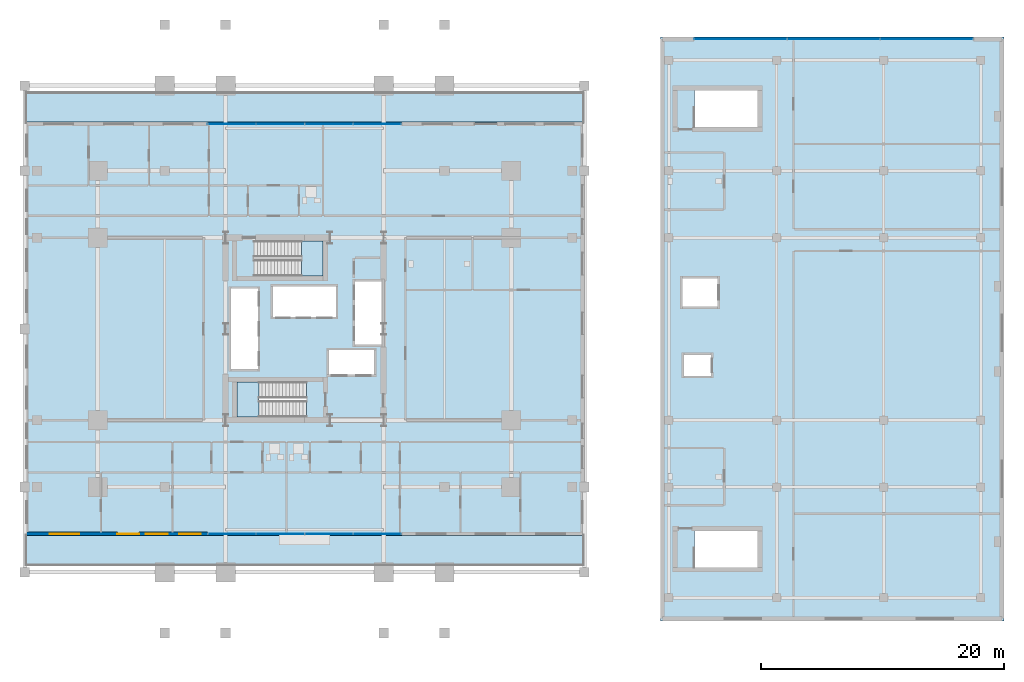
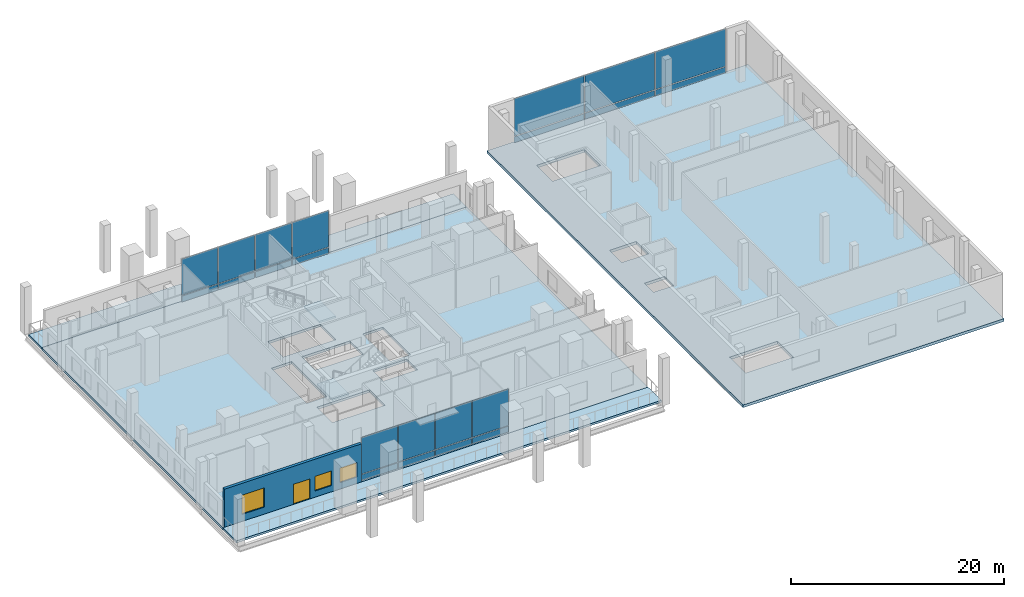
# One storey, part 15 of 25: 22 plates, 6 slabs, 3 windows, 1 door, 1 wall, 4 openings, 5 elements without a shape of their own.
"""IFC4 building model written with IfcOpenShell, lengths in metres."""

from ifc_helpers import new_model, si_unit, direction, frame, frame_2d, origin, origin_2d, place, context, subcontext, project, spatial, polyline, rectangle, outline, extrude, material, layer, layer_set, type_object, element, fill, aggregate, save


model = new_model("IFC4")

# Units and contexts
model_context = context("Model", 3, precision=1e-05, world=origin(), true_north=direction((0.0, 1.0)))
body_context = subcontext(model_context, "Body", "Model", "MODEL_VIEW")
ifc_project = project(units=[si_unit("LENGTHUNIT", "METRE"), si_unit("AREAUNIT", "SQUARE_METRE"), si_unit("VOLUMEUNIT", "CUBIC_METRE"), si_unit("PLANEANGLEUNIT", "RADIAN"), si_unit("MASSUNIT", "GRAM", prefix="KILO")], contexts=[model_context])

# Site, building, storey
site_placement = place(None, origin())
site = spatial("IfcSite", under=ifc_project, at=site_placement, CompositionType="ELEMENT")
building_placement = place(site_placement, origin())
building = spatial("IfcBuilding", under=site, at=building_placement, Name="Barlavira Tower and Art Museum", CompositionType="ELEMENT")
storey_placement = place(building_placement, frame((0.0, 0.0, 22.199951171875)))
storey = spatial("IfcBuildingStorey", under=building, at=storey_placement, Name="L04", CompositionType="ELEMENT", Elevation=22.199951171875)

# Slabs
ifc_material_1 = material(Name="Concrete C50", Category="concrete")
ifc_layer_1 = layer(ifc_material_1, 0.239990234375, Name="Concrete C50")
ifc_layer_set_1 = layer_set([ifc_layer_1], Name="Concrete C50")
slab_type_1 = type_object("IfcSlabType", Name="Cascading Garden and Lookout Terrace Slab 240 Concrete C50", PredefinedType="FLOOR", material=ifc_layer_set_1)
slab_1_placement = place(storey_placement, frame((0.0, 0.0, -0.239990234375)))
element("IfcSlab", 1, at=slab_1_placement, inside=storey, type_object=slab_type_1, Name="L04 South Cascading Garden Terrace Slab", PredefinedType="FLOOR", context=body_context, shape_type="SweptSolid", body=[
    extrude(outline(polyline([(-23.0, -19.5), (23.0, -19.5), (23.0, -17.0), (-23.0, -17.0), (-23.0, -19.5)])), origin(), (0.0, 0.0, 1.0), 0.239990234375),
])
slab_2_placement = place(storey_placement, frame((0.0, 0.0, -0.239990234375)))
element("IfcSlab", 2, at=slab_2_placement, inside=storey, type_object=slab_type_1, Name="L04 North Cascading Garden Terrace Slab", PredefinedType="FLOOR", context=body_context, shape_type="SweptSolid", body=[
    extrude(outline(polyline([(-23.0, 17.0), (23.0, 17.0), (23.0, 19.5), (-23.0, 19.5), (-23.0, 17.0)])), origin(), (0.0, 0.0, 1.0), 0.239990234375),
])

# Curtain wall, plates
ifc_material_2 = material(Name="Low-iron coastal laminated glass", Category="glass")
ifc_layer_2 = layer(ifc_material_2, 0.179931640625, Name="Low-iron coastal laminated glass")
ifc_layer_set_2 = layer_set([ifc_layer_2], Name="Low-iron coastal laminated glass")
curtain_wall_type_1 = type_object("IfcCurtainWallType", Name="Pale-Metal Unitised Curtain Wall Zone 1", PredefinedType="NOTDEFINED", material=ifc_layer_set_2)
curtain_wall_1_placement = place(storey_placement, origin())
curtain_wall_1 = element("IfcCurtainWall", 3, at=curtain_wall_1_placement, inside=storey, type_object=curtain_wall_type_1, Name="L04 Curtain Wall CW1-L04-S", PredefinedType="NOTDEFINED")
ifc_material_3 = material(Name="Pale anodised aluminium", Category="aluminium")
ifc_layer_3 = layer(ifc_material_3, 0.044921875, Name="Pale anodised aluminium")
ifc_layer_set_3 = layer_set([ifc_layer_3], Name="Pale anodised aluminium")
plate_type_1 = type_object("IfcPlateType", Name="Curtain Wall Pale-Metal Spandrel Panel 45", PredefinedType="CURTAIN_PANEL", material=ifc_layer_set_3)
plate_1_placement = place(storey_placement, frame((-6.0, -16.85009765625, 0.0400390625), z_axis=(0.0, 0.0, 1.0), x_axis=(1.0, 0.0, 0.0)))
plate_1 = element("IfcPlate", 4, at=plate_1_placement, type_object=plate_type_1, Name="CW1-L04-S Spandrel Panel 0", PredefinedType="CURTAIN_PANEL", context=body_context, shape_type="SweptSolid", body=[
    extrude(rectangle(XDim=3.89990234375, YDim=0.044921875, at=origin_2d()), origin(), (0.0, 0.0, 1.0), 0.669921875),
])
plate_2_placement = place(storey_placement, frame((-2.0, -16.85009765625, 0.0400390625), z_axis=(0.0, 0.0, 1.0), x_axis=(1.0, 0.0, 0.0)))
plate_2 = element("IfcPlate", 5, at=plate_2_placement, type_object=plate_type_1, Name="CW1-L04-S Spandrel Panel 1", PredefinedType="CURTAIN_PANEL", context=body_context, shape_type="SweptSolid", body=[
    extrude(rectangle(XDim=3.89990234375, YDim=0.044921875, at=origin_2d()), origin(), (0.0, 0.0, 1.0), 0.669921875),
])
plate_3_placement = place(storey_placement, frame((2.0, -16.85009765625, 0.0400390625), z_axis=(0.0, 0.0, 1.0), x_axis=(1.0, 0.0, 0.0)))
plate_3 = element("IfcPlate", 6, at=plate_3_placement, type_object=plate_type_1, Name="CW1-L04-S Spandrel Panel 2", PredefinedType="CURTAIN_PANEL", context=body_context, shape_type="SweptSolid", body=[
    extrude(rectangle(XDim=3.89990234375, YDim=0.044921875, at=origin_2d()), origin(), (0.0, 0.0, 1.0), 0.669921875),
])
plate_4_placement = place(storey_placement, frame((6.0, -16.85009765625, 0.0400390625), z_axis=(0.0, 0.0, 1.0), x_axis=(1.0, 0.0, 0.0)))
plate_4 = element("IfcPlate", 7, at=plate_4_placement, type_object=plate_type_1, Name="CW1-L04-S Spandrel Panel 3", PredefinedType="CURTAIN_PANEL", context=body_context, shape_type="SweptSolid", body=[
    extrude(rectangle(XDim=3.89990234375, YDim=0.044921875, at=origin_2d()), origin(), (0.0, 0.0, 1.0), 0.669921875),
])

curtain_wall_2_placement = place(storey_placement, origin())
curtain_wall_2 = element("IfcCurtainWall", 8, at=curtain_wall_2_placement, inside=storey, type_object=curtain_wall_type_1, Name="L04 Curtain Wall CW1-L04-N", PredefinedType="NOTDEFINED")
plate_5_placement = place(storey_placement, frame((6.0, 16.85009765625, 0.0400390625), z_axis=(0.0, 0.0, 1.0), x_axis=(-1.0, 0.0, 0.0)))
plate_5 = element("IfcPlate", 9, at=plate_5_placement, type_object=plate_type_1, Name="CW1-L04-N Spandrel Panel 0", PredefinedType="CURTAIN_PANEL", context=body_context, shape_type="SweptSolid", body=[
    extrude(rectangle(XDim=3.89990234375, YDim=0.044921875, at=origin_2d()), origin(), (0.0, 0.0, 1.0), 0.669921875),
])
plate_6_placement = place(storey_placement, frame((2.0, 16.85009765625, 0.0400390625), z_axis=(0.0, 0.0, 1.0), x_axis=(-1.0, 0.0, 0.0)))
plate_6 = element("IfcPlate", 10, at=plate_6_placement, type_object=plate_type_1, Name="CW1-L04-N Spandrel Panel 1", PredefinedType="CURTAIN_PANEL", context=body_context, shape_type="SweptSolid", body=[
    extrude(rectangle(XDim=3.89990234375, YDim=0.044921875, at=origin_2d()), origin(), (0.0, 0.0, 1.0), 0.669921875),
])
plate_7_placement = place(storey_placement, frame((-2.0, 16.85009765625, 0.0400390625), z_axis=(0.0, 0.0, 1.0), x_axis=(-1.0, 0.0, 0.0)))
plate_7 = element("IfcPlate", 11, at=plate_7_placement, type_object=plate_type_1, Name="CW1-L04-N Spandrel Panel 2", PredefinedType="CURTAIN_PANEL", context=body_context, shape_type="SweptSolid", body=[
    extrude(rectangle(XDim=3.89990234375, YDim=0.044921875, at=origin_2d()), origin(), (0.0, 0.0, 1.0), 0.669921875),
])
plate_8_placement = place(storey_placement, frame((-6.0, 16.85009765625, 0.0400390625), z_axis=(0.0, 0.0, 1.0), x_axis=(-1.0, 0.0, 0.0)))
plate_8 = element("IfcPlate", 12, at=plate_8_placement, type_object=plate_type_1, Name="CW1-L04-N Spandrel Panel 3", PredefinedType="CURTAIN_PANEL", context=body_context, shape_type="SweptSolid", body=[
    extrude(rectangle(XDim=3.89990234375, YDim=0.044921875, at=origin_2d()), origin(), (0.0, 0.0, 1.0), 0.669921875),
])

ifc_layer_4 = layer(ifc_material_2, 0.199951171875, Name="Low-iron coastal laminated glass")
ifc_layer_set_4 = layer_set([ifc_layer_4], Name="Low-iron coastal laminated glass")
curtain_wall_type_2 = type_object("IfcCurtainWallType", Name="Coastal Art Museum North-Light Curtain Wall", PredefinedType="NOTDEFINED", material=ifc_layer_set_4)
curtain_wall_3_placement = place(storey_placement, origin())
curtain_wall_3 = element("IfcCurtainWall", 13, at=curtain_wall_3_placement, inside=storey, type_object=curtain_wall_type_2, Name="L04 Curtain Wall CW6-MUS-L04-N", PredefinedType="NOTDEFINED")
plate_9_placement = place(storey_placement, frame((51.166748046875, 23.824951171875, 0.0400390625), z_axis=(0.0, 0.0, 1.0), x_axis=(-1.0, 0.0, 0.0)))
plate_9 = element("IfcPlate", 14, at=plate_9_placement, type_object=plate_type_1, Name="CW6-MUS-L04-N Spandrel Panel 0", PredefinedType="CURTAIN_PANEL", context=body_context, shape_type="SweptSolid", body=[
    extrude(rectangle(XDim=7.566650390625, YDim=0.044921875, at=origin_2d()), origin(), (0.0, 0.0, 1.0), 0.669921875),
])
plate_10_placement = place(storey_placement, frame((43.5, 23.824951171875, 0.0400390625), z_axis=(0.0, 0.0, 1.0), x_axis=(-1.0, 0.0, 0.0)))
plate_10 = element("IfcPlate", 15, at=plate_10_placement, type_object=plate_type_1, Name="CW6-MUS-L04-N Spandrel Panel 1", PredefinedType="CURTAIN_PANEL", context=body_context, shape_type="SweptSolid", body=[
    extrude(rectangle(XDim=7.566650390625, YDim=0.044921875, at=origin_2d()), origin(), (0.0, 0.0, 1.0), 0.669921875),
])
plate_11_placement = place(storey_placement, frame((35.833251953125, 23.824951171875, 0.0400390625), z_axis=(0.0, 0.0, 1.0), x_axis=(-1.0, 0.0, 0.0)))
plate_11 = element("IfcPlate", 16, at=plate_11_placement, type_object=plate_type_1, Name="CW6-MUS-L04-N Spandrel Panel 2", PredefinedType="CURTAIN_PANEL", context=body_context, shape_type="SweptSolid", body=[
    extrude(rectangle(XDim=7.566650390625, YDim=0.044921875, at=origin_2d()), origin(), (0.0, 0.0, 1.0), 0.669921875),
])

# Plate
ifc_layer_5 = layer(ifc_material_2, 0.028076171875, Name="Low-iron coastal laminated glass")
ifc_layer_set_5 = layer_set([ifc_layer_5], Name="Low-iron coastal laminated glass")
plate_type_2 = type_object("IfcPlateType", Name="Curtain Wall Vision Glazing Panel 28", PredefinedType="CURTAIN_PANEL", material=ifc_layer_set_5)
plate_12_placement = place(storey_placement, frame((-6.0, -16.85009765625, 0.7900390625), z_axis=(0.0, 0.0, 1.0), x_axis=(1.0, 0.0, 0.0)))
plate_12 = element("IfcPlate", 17, at=plate_12_placement, type_object=plate_type_2, Name="CW1-L04-S Vision Glass Panel 0", PredefinedType="CURTAIN_PANEL", context=body_context, shape_type="SweptSolid", body=[
    extrude(rectangle(XDim=3.89990234375, YDim=0.028076171875, at=origin_2d()), origin(), (0.0, 0.0, 1.0), 4.169921875),
])

plate_13_placement = place(storey_placement, frame((-2.0, -16.85009765625, 0.7900390625), z_axis=(0.0, 0.0, 1.0), x_axis=(1.0, 0.0, 0.0)))
plate_13 = element("IfcPlate", 18, at=plate_13_placement, type_object=plate_type_2, Name="CW1-L04-S Vision Glass Panel 1", PredefinedType="CURTAIN_PANEL", context=body_context, shape_type="SweptSolid", body=[
    extrude(rectangle(XDim=3.89990234375, YDim=0.028076171875, at=origin_2d()), origin(), (0.0, 0.0, 1.0), 4.169921875),
])

plate_14_placement = place(storey_placement, frame((2.0, -16.85009765625, 0.7900390625), z_axis=(0.0, 0.0, 1.0), x_axis=(1.0, 0.0, 0.0)))
plate_14 = element("IfcPlate", 19, at=plate_14_placement, type_object=plate_type_2, Name="CW1-L04-S Vision Glass Panel 2", PredefinedType="CURTAIN_PANEL", context=body_context, shape_type="SweptSolid", body=[
    extrude(rectangle(XDim=3.89990234375, YDim=0.028076171875, at=origin_2d()), origin(), (0.0, 0.0, 1.0), 4.169921875),
])

plate_15_placement = place(storey_placement, frame((6.0, -16.85009765625, 0.7900390625), z_axis=(0.0, 0.0, 1.0), x_axis=(1.0, 0.0, 0.0)))
plate_15 = element("IfcPlate", 20, at=plate_15_placement, type_object=plate_type_2, Name="CW1-L04-S Vision Glass Panel 3", PredefinedType="CURTAIN_PANEL", context=body_context, shape_type="SweptSolid", body=[
    extrude(rectangle(XDim=3.89990234375, YDim=0.028076171875, at=origin_2d()), origin(), (0.0, 0.0, 1.0), 4.169921875),
])

aggregate(curtain_wall_1, [plate_1, plate_12, plate_2, plate_13, plate_3, plate_14, plate_4, plate_15])

plate_16_placement = place(storey_placement, frame((6.0, 16.85009765625, 0.7900390625), z_axis=(0.0, 0.0, 1.0), x_axis=(-1.0, 0.0, 0.0)))
plate_16 = element("IfcPlate", 21, at=plate_16_placement, type_object=plate_type_2, Name="CW1-L04-N Vision Glass Panel 0", PredefinedType="CURTAIN_PANEL", context=body_context, shape_type="SweptSolid", body=[
    extrude(rectangle(XDim=3.89990234375, YDim=0.028076171875, at=origin_2d()), origin(), (0.0, 0.0, 1.0), 4.169921875),
])

plate_17_placement = place(storey_placement, frame((2.0, 16.85009765625, 0.7900390625), z_axis=(0.0, 0.0, 1.0), x_axis=(-1.0, 0.0, 0.0)))
plate_17 = element("IfcPlate", 22, at=plate_17_placement, type_object=plate_type_2, Name="CW1-L04-N Vision Glass Panel 1", PredefinedType="CURTAIN_PANEL", context=body_context, shape_type="SweptSolid", body=[
    extrude(rectangle(XDim=3.89990234375, YDim=0.028076171875, at=origin_2d()), origin(), (0.0, 0.0, 1.0), 4.169921875),
])

plate_18_placement = place(storey_placement, frame((-2.0, 16.85009765625, 0.7900390625), z_axis=(0.0, 0.0, 1.0), x_axis=(-1.0, 0.0, 0.0)))
plate_18 = element("IfcPlate", 23, at=plate_18_placement, type_object=plate_type_2, Name="CW1-L04-N Vision Glass Panel 2", PredefinedType="CURTAIN_PANEL", context=body_context, shape_type="SweptSolid", body=[
    extrude(rectangle(XDim=3.89990234375, YDim=0.028076171875, at=origin_2d()), origin(), (0.0, 0.0, 1.0), 4.169921875),
])

plate_19_placement = place(storey_placement, frame((-6.0, 16.85009765625, 0.7900390625), z_axis=(0.0, 0.0, 1.0), x_axis=(-1.0, 0.0, 0.0)))
plate_19 = element("IfcPlate", 24, at=plate_19_placement, type_object=plate_type_2, Name="CW1-L04-N Vision Glass Panel 3", PredefinedType="CURTAIN_PANEL", context=body_context, shape_type="SweptSolid", body=[
    extrude(rectangle(XDim=3.89990234375, YDim=0.028076171875, at=origin_2d()), origin(), (0.0, 0.0, 1.0), 4.169921875),
])

aggregate(curtain_wall_2, [plate_5, plate_16, plate_6, plate_17, plate_7, plate_18, plate_8, plate_19])

plate_20_placement = place(storey_placement, frame((51.166748046875, 23.824951171875, 0.7900390625), z_axis=(0.0, 0.0, 1.0), x_axis=(-1.0, 0.0, 0.0)))
plate_20 = element("IfcPlate", 25, at=plate_20_placement, type_object=plate_type_2, Name="CW6-MUS-L04-N Vision Glass Panel 0", PredefinedType="CURTAIN_PANEL", context=body_context, shape_type="SweptSolid", body=[
    extrude(rectangle(XDim=7.566650390625, YDim=0.028076171875, at=origin_2d()), origin(), (0.0, 0.0, 1.0), 4.300048828125),
])

plate_21_placement = place(storey_placement, frame((43.5, 23.824951171875, 0.7900390625), z_axis=(0.0, 0.0, 1.0), x_axis=(-1.0, 0.0, 0.0)))
plate_21 = element("IfcPlate", 26, at=plate_21_placement, type_object=plate_type_2, Name="CW6-MUS-L04-N Vision Glass Panel 1", PredefinedType="CURTAIN_PANEL", context=body_context, shape_type="SweptSolid", body=[
    extrude(rectangle(XDim=7.566650390625, YDim=0.028076171875, at=origin_2d()), origin(), (0.0, 0.0, 1.0), 4.300048828125),
])

plate_22_placement = place(storey_placement, frame((35.833251953125, 23.824951171875, 0.7900390625), z_axis=(0.0, 0.0, 1.0), x_axis=(-1.0, 0.0, 0.0)))
plate_22 = element("IfcPlate", 27, at=plate_22_placement, type_object=plate_type_2, Name="CW6-MUS-L04-N Vision Glass Panel 2", PredefinedType="CURTAIN_PANEL", context=body_context, shape_type="SweptSolid", body=[
    extrude(rectangle(XDim=7.566650390625, YDim=0.028076171875, at=origin_2d()), origin(), (0.0, 0.0, 1.0), 4.300048828125),
])

aggregate(curtain_wall_3, [plate_9, plate_20, plate_10, plate_21, plate_11, plate_22])

# Slabs
ifc_layer_6 = layer(ifc_material_1, 0.320068359375, Name="Concrete C50")
ifc_layer_set_6 = layer_set([ifc_layer_6], Name="Concrete C50")
slab_type_2 = type_object("IfcSlabType", Name="Museum Exhibition Gallery Slab 320 Concrete C50", PredefinedType="FLOOR", material=ifc_layer_set_6)
slab_3_placement = place(storey_placement, frame((0.0, 0.0, -0.320068359375)))
element("IfcSlab", 28, at=slab_3_placement, inside=storey, type_object=slab_type_2, Name="L04 Coastal Art Museum Floor Slab", PredefinedType="FLOOR", context=body_context, shape_type="SweptSolid", body=[
    extrude(outline(polyline([(29.25, -24.0), (57.5, -24.0), (57.5, 24.0), (29.25, 24.0), (29.25, -24.0)]), holes=[polyline([(32.070068359375, -19.60009765625), (37.25, -19.60009765625), (37.25, -16.60009765625), (32.070068359375, -16.60009765625), (32.070068359375, -19.60009765625)]), polyline([(32.070068359375, 16.60009765625), (37.25, 16.60009765625), (37.25, 19.60009765625), (32.070068359375, 19.60009765625), (32.070068359375, 16.60009765625)]), polyline([(31.199951171875, -3.85009765625), (33.39990234375, -3.85009765625), (33.39990234375, -2.14990234375), (31.199951171875, -2.14990234375), (31.199951171875, -3.85009765625)]), polyline([(31.050048828125, 1.85009765625), (33.949951171875, 1.85009765625), (33.949951171875, 4.14990234375), (31.050048828125, 4.14990234375), (31.050048828125, 1.85009765625)])]), origin(), (0.0, 0.0, 1.0), 0.320068359375),
])
ifc_layer_7 = layer(ifc_material_1, 0.280029296875, Name="Concrete C50")
ifc_layer_set_7 = layer_set([ifc_layer_7], Name="Concrete C50")
slab_type_3 = type_object("IfcSlabType", Name="Podium Floor Slab 280 Concrete C50", PredefinedType="FLOOR", material=ifc_layer_set_7)
slab_4_placement = place(storey_placement, frame((0.0, 0.0, -0.280029296875)))
element("IfcSlab", 29, at=slab_4_placement, inside=storey, type_object=slab_type_3, Name="L04 Tower Podium Indoor Floor Slab", PredefinedType="FLOOR", context=body_context, shape_type="SweptSolid", body=[
    extrude(outline(polyline([(-23.0, -17.0), (23.0, -17.0), (23.0, 17.0), (-23.0, 17.0), (-23.0, -17.0)]), holes=[polyline([(0.14990234375, -4.35009765625), (-5.550048828125, -4.35009765625), (-5.550048828125, -7.25), (0.14990234375, -7.25), (0.14990234375, -4.35009765625)]), polyline([(-4.169921875, 4.35009765625), (1.530029296875, 4.35009765625), (1.530029296875, 7.25), (-4.169921875, 7.25), (-4.169921875, 4.35009765625)]), polyline([(-6.050048828125, -3.31005859375), (-3.85009765625, -3.31005859375), (-3.85009765625, 3.31005859375), (-6.050048828125, 3.31005859375), (-6.050048828125, -3.31005859375)]), polyline([(4.14990234375, -1.2900390625), (6.35009765625, -1.2900390625), (6.35009765625, 3.889892578125), (4.14990234375, 3.889892578125), (4.14990234375, -1.2900390625)]), polyline([(-2.6201171875, 1.0), (2.56005859375, 1.0), (2.56005859375, 3.5), (-2.6201171875, 3.5), (-2.6201171875, 1.0)]), polyline([(2.0, -3.75), (5.699951171875, -3.75), (5.699951171875, -1.75), (2.0, -1.75), (2.0, -3.75)])]), origin(), (0.0, 0.0, 1.0), 0.280029296875),
])

# Stair, slab
ifc_material_4 = material(Name="Concrete C45", Category="concrete")
stair_type_1 = type_object("IfcStairType", Name="Tower North Dog-Leg Exit Stair Assembly Concrete C45", PredefinedType="TWO_QUARTER_TURN_STAIR", material=ifc_material_4)
stair_1_placement = place(storey_placement, origin())
stair_1 = element("IfcStair", 30, at=stair_1_placement, inside=storey, type_object=stair_type_1, Name="L04 Tower North Exit Stair ST-T2", PredefinedType="TWO_QUARTER_TURN_STAIR")
ifc_layer_8 = layer(ifc_material_4, 0.199951171875, Name="Concrete C45")
ifc_layer_set_8 = layer_set([ifc_layer_8], Name="Concrete C45")
slab_type_4 = type_object("IfcSlabType", Name="Tower North Dog-Leg Exit Stair Half-Landing Slab 200 Concrete C45", PredefinedType="LANDING", material=ifc_layer_set_8)
slab_5_placement = place(storey_placement, frame((0.0, 0.0, 2.5)))
slab_5 = element("IfcSlab", 31, at=slab_5_placement, type_object=slab_type_4, Name="ST-T2 landing 1", PredefinedType="LANDING", context=body_context, shape_type="SweptSolid", body=[
    extrude(outline(polyline([(-0.25, 4.35009765625), (1.530029296875, 4.35009765625), (1.530029296875, 7.25), (-0.25, 7.25), (-0.25, 4.35009765625)])), origin(), (0.0, 0.0, 1.0), 0.199951171875),
])
aggregate(stair_1, [slab_5])

stair_type_2 = type_object("IfcStairType", Name="Tower South Dog-Leg Exit Stair Assembly Concrete C45", PredefinedType="TWO_QUARTER_TURN_STAIR", material=ifc_material_4)
stair_2_placement = place(storey_placement, origin())
stair_2 = element("IfcStair", 32, at=stair_2_placement, inside=storey, type_object=stair_type_2, Name="L04 Tower South Exit Stair ST-T1", PredefinedType="TWO_QUARTER_TURN_STAIR")
ifc_layer_9 = layer(ifc_material_4, 0.199951171875, Name="Concrete C45")
ifc_layer_set_9 = layer_set([ifc_layer_9], Name="Concrete C45")
slab_type_5 = type_object("IfcSlabType", Name="Tower South Dog-Leg Exit Stair Half-Landing Slab 200 Concrete C45", PredefinedType="LANDING", material=ifc_layer_set_9)
slab_6_placement = place(storey_placement, frame((0.0, 0.0, 2.5)))
slab_6 = element("IfcSlab", 33, at=slab_6_placement, type_object=slab_type_5, Name="ST-T1 landing 1", PredefinedType="LANDING", context=body_context, shape_type="SweptSolid", body=[
    extrude(outline(polyline([(-3.77001953125, -4.35009765625), (-5.550048828125, -4.35009765625), (-5.550048828125, -7.25), (-3.77001953125, -7.25), (-3.77001953125, -4.35009765625)])), origin(), (0.0, 0.0, 1.0), 0.199951171875),
])
aggregate(stair_2, [slab_6])

# Wall, openings, windows, door
ifc_material_5 = material(Name="Precast concrete C40", Category="concrete")
ifc_layer_10 = layer(ifc_material_5, 0.300048828125, Name="Precast concrete C40")
ifc_layer_set_10 = layer_set([ifc_layer_10], Name="Precast concrete C40")
wall_type = type_object("IfcWallType", Name="Podium Architectural Precast Facade Wall 300 Concrete C40", PredefinedType="SOLIDWALL", material=ifc_layer_set_10)
wall_placement = place(storey_placement, frame((-8.0, -16.85009765625, 0.0), z_axis=(0.0, 0.0, 1.0), x_axis=(-1.0, 0.0, 0.0)))
wall = element("IfcWall", 34, at=wall_placement, inside=storey, type_object=wall_type, Name="L04 Podium South-West Wall", PredefinedType="SOLIDWALL", context=body_context, shape_type="SweptSolid", body=[
    extrude(rectangle(XDim=14.85009765625, YDim=0.300048828125, at=frame_2d((7.425048828125, 0.0))), origin(), (0.0, 0.0, 1.0), 4.35595703125),
])
opening_1_placement = place(wall_placement, frame((5.60009765625, 0.0, 0.0)))
opening_1 = element("IfcOpeningElement", 35, at=opening_1_placement, cuts=wall, Name="Opening ED-03", PredefinedType="OPENING", context=body_context, shape_type="SweptSolid", body=[
    extrude(rectangle(XDim=1.800048828125, YDim=2.300048828125, at=frame_2d((0.89990234375, 1.14990234375))), frame((0.0, 0.16015625, 0.0), z_axis=(0.0, -1.0, 0.0), x_axis=(1.0, 0.0, 0.0)), (0.0, 0.0, 1.0), 0.320068359375),
])
opening_2_placement = place(wall_placement, frame((0.52490234375, 0.0, 0.719970703125)))
opening_2 = element("IfcOpeningElement", 36, at=opening_2_placement, cuts=wall, Name="Opening WN-01", PredefinedType="OPENING", context=body_context, shape_type="SweptSolid", body=[
    extrude(rectangle(XDim=1.800048828125, YDim=1.679931640625, at=frame_2d((0.89990234375, 0.83984375))), frame((0.0, 0.16015625, 0.0), z_axis=(0.0, -1.0, 0.0), x_axis=(1.0, 0.0, 0.0)), (0.0, 0.0, 1.0), 0.320068359375),
])
opening_3_placement = place(wall_placement, frame((3.2548828125, 0.0, 0.719970703125)))
opening_3 = element("IfcOpeningElement", 37, at=opening_3_placement, cuts=wall, Name="Opening WN-01", PredefinedType="OPENING", context=body_context, shape_type="SweptSolid", body=[
    extrude(rectangle(XDim=1.800048828125, YDim=1.679931640625, at=frame_2d((0.89990234375, 0.83984375))), frame((0.0, 0.16015625, 0.0), z_axis=(0.0, -1.0, 0.0), x_axis=(1.0, 0.0, 0.0)), (0.0, 0.0, 1.0), 0.320068359375),
])
opening_4_placement = place(wall_placement, frame((10.534912109375, 0.0, 0.800048828125)))
opening_4 = element("IfcOpeningElement", 38, at=opening_4_placement, cuts=wall, Name="Opening WN-02", PredefinedType="OPENING", context=body_context, shape_type="SweptSolid", body=[
    extrude(rectangle(XDim=2.39990234375, YDim=2.199951171875, at=frame_2d((1.199951171875, 1.10009765625))), frame((0.0, 0.16015625, 0.0), z_axis=(0.0, -1.0, 0.0), x_axis=(1.0, 0.0, 0.0)), (0.0, 0.0, 1.0), 0.320068359375),
])
window_type_1 = type_object("IfcWindowType", Name="Podium Garden Gallery Window 2400x2200", PartitioningType="SINGLE_PANEL", PredefinedType="WINDOW", material=ifc_material_2)
window_1_placement = place(opening_4_placement, origin())
window_1 = element("IfcWindow", 39, at=window_1_placement, inside=storey, type_object=window_type_1, Name="L04 Punched Facade Window EW-L04-SW-3", OverallHeight=2.199951171875, OverallWidth=2.39990234375, PartitioningType="SINGLE_PANEL", PredefinedType="WINDOW", context=body_context, shape_type="SweptSolid", body=[
    extrude(rectangle(XDim=2.39990234375, YDim=2.199951171875, at=frame_2d((1.199951171875, 1.10009765625))), frame((0.0, 0.030029296875, 0.0), z_axis=(0.0, -1.0, 0.0), x_axis=(1.0, 0.0, 0.0)), (0.0, 0.0, 1.0), 0.06005859375),
])
fill(opening_4, window_1)
window_type_2 = type_object("IfcWindowType", Name="Recessed Notch Corner Punch Window 1800x1680", PartitioningType="SINGLE_PANEL", PredefinedType="WINDOW", material=ifc_material_2)
window_2_placement = place(opening_2_placement, origin())
window_2 = element("IfcWindow", 40, at=window_2_placement, inside=storey, type_object=window_type_2, Name="L04 Punched Facade Window EW-L04-SW-1", OverallHeight=1.679931640625, OverallWidth=1.800048828125, PartitioningType="SINGLE_PANEL", PredefinedType="WINDOW", context=body_context, shape_type="SweptSolid", body=[
    extrude(rectangle(XDim=1.800048828125, YDim=1.679931640625, at=frame_2d((0.89990234375, 0.83984375))), frame((0.0, 0.030029296875, 0.0), z_axis=(0.0, -1.0, 0.0), x_axis=(1.0, 0.0, 0.0)), (0.0, 0.0, 1.0), 0.06005859375),
])
fill(opening_2, window_2)
window_3_placement = place(opening_3_placement, origin())
window_3 = element("IfcWindow", 41, at=window_3_placement, inside=storey, type_object=window_type_2, Name="L04 Punched Facade Window EW-L04-SW-2", OverallHeight=1.679931640625, OverallWidth=1.800048828125, PartitioningType="SINGLE_PANEL", PredefinedType="WINDOW", context=body_context, shape_type="SweptSolid", body=[
    extrude(rectangle(XDim=1.800048828125, YDim=1.679931640625, at=frame_2d((0.89990234375, 0.83984375))), frame((0.0, 0.030029296875, 0.0), z_axis=(0.0, -1.0, 0.0), x_axis=(1.0, 0.0, 0.0)), (0.0, 0.0, 1.0), 0.06005859375),
])
fill(opening_3, window_3)
door_type = type_object("IfcDoorType", Name="Terrace and Observation Deck Glazed Door 1800x2300", OperationType="NOTDEFINED", PredefinedType="DOOR", material=ifc_material_3)
door_placement = place(opening_1_placement, origin())
door = element("IfcDoor", 42, at=door_placement, inside=storey, type_object=door_type, Name="L04 South Cascade Terrace Access Door", OperationType="DOUBLE_DOOR_SINGLE_SWING", OverallHeight=2.300048828125, OverallWidth=1.800048828125, PredefinedType="DOOR", context=body_context, shape_type="SweptSolid", body=[
    extrude(rectangle(XDim=1.800048828125, YDim=2.300048828125, at=frame_2d((0.89990234375, 1.14990234375))), frame((0.0, 0.02490234375, 0.0), z_axis=(0.0, -1.0, 0.0), x_axis=(1.0, 0.0, 0.0)), (0.0, 0.0, 1.0), 0.050048828125),
])
fill(opening_1, door)

save(model, "model.ifc")
